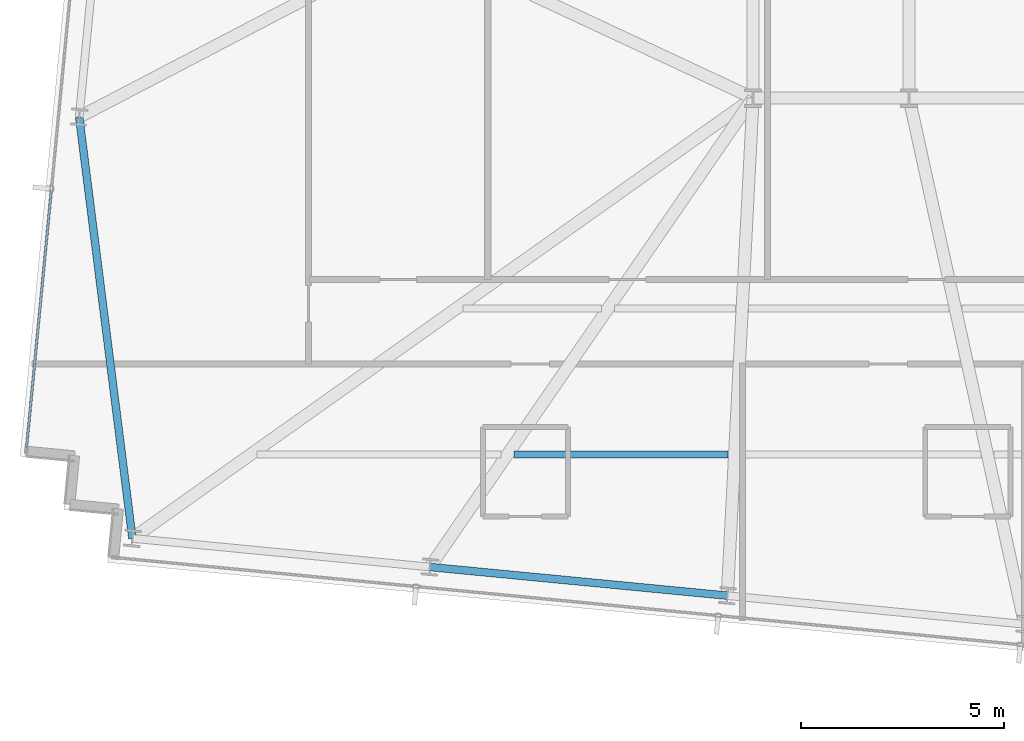
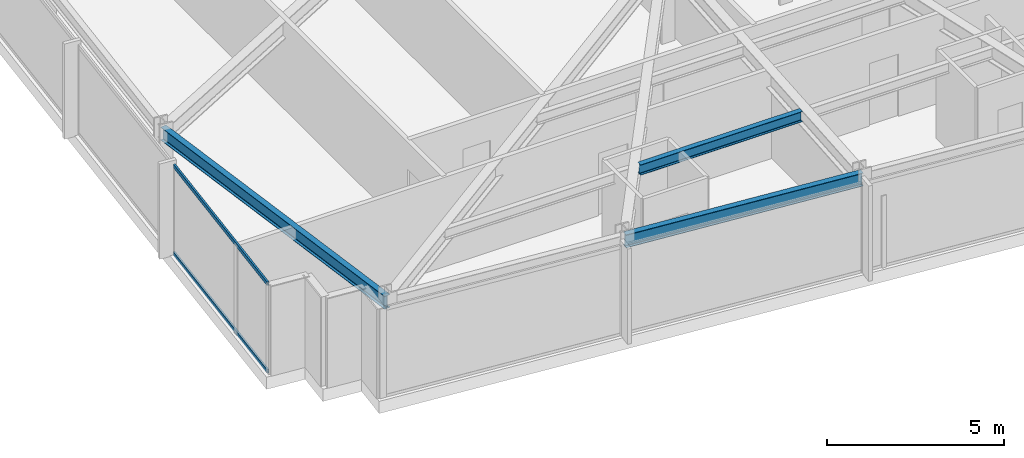
# One storey, part 3 of 37: 3 beams, 2 members, 1 element without a shape of its own.
"""IFC4 building model written with IfcOpenShell, lengths in metres."""

from ifc_helpers import new_model, si_unit, direction, frame, origin, origin_2d, place, context, subcontext, project, spatial, hollow_rectangle, i_section, extrude, material, material_profile, profile_set, type_object, element, aggregate, save


model = new_model("IFC4")

# Units and contexts
model_context = context("Model", 3, precision=1e-05, world=origin(), true_north=direction((0.0, 1.0)))
body_context = subcontext(model_context, "Body", "Model", "MODEL_VIEW")
ifc_project = project(units=[si_unit("LENGTHUNIT", "METRE"), si_unit("AREAUNIT", "SQUARE_METRE"), si_unit("VOLUMEUNIT", "CUBIC_METRE"), si_unit("PLANEANGLEUNIT", "RADIAN"), si_unit("MASSUNIT", "GRAM", prefix="KILO")], contexts=[model_context])

# Site, building, storey
site_placement = place(None, origin())
site = spatial("IfcSite", under=ifc_project, at=site_placement, CompositionType="ELEMENT")
building_placement = place(site_placement, origin())
building = spatial("IfcBuilding", under=site, at=building_placement, Name="Yelkora Congress Tower", CompositionType="ELEMENT")
storey_placement = place(building_placement, frame((0.0, 0.0, 149.0)))
storey = spatial("IfcBuildingStorey", under=building, at=storey_placement, Name="L40", CompositionType="ELEMENT", Elevation=149.0)

# Beams
ifc_material_1 = material(Name="Steel S355J2", Category="steel")
ifc_material_profile_1 = material_profile(ifc_material_1, i_section(OverallWidth=0.169921875, OverallDepth=0.360107421875, WebThickness=0.008056640625, FlangeThickness=0.0126953125, FilletRadius=0.01806640625, at=origin_2d()), Name="IPE 360")
ifc_profile_set_1 = profile_set([ifc_material_profile_1], Name="Steel S355J2")
beam_type_1 = type_object("IfcBeamType", Name="BM-JOIST-IPE360", PredefinedType="JOIST", material=ifc_profile_set_1)
beam_1_placement = place(storey_placement, frame((13.310546875, 16.421142578125, 2.89990234375), z_axis=(1.0, 0.0, 0.0), x_axis=(0.0, 1.0, 0.0)))
element("IfcBeam", 1, at=beam_1_placement, inside=storey, type_object=beam_type_1, Name="L40 Composite Floor Joist 6", PredefinedType="JOIST", context=body_context, shape_type="SweptSolid", body=[
    extrude(i_section(OverallWidth=0.169921875, OverallDepth=0.360107421875, WebThickness=0.008056640625, FlangeThickness=0.0126953125, FilletRadius=0.01806640625, at=origin_2d()), origin(), (0.0, 0.0, 1.0), 5.275146484375),
])
ifc_material_profile_2 = material_profile(ifc_material_1, i_section(OverallWidth=0.18994140625, OverallDepth=0.449951171875, WebThickness=0.009521484375, FlangeThickness=0.0146484375, FilletRadius=0.02099609375, at=origin_2d()), Name="IPE 450")
ifc_profile_set_2 = profile_set([ifc_material_profile_2], Name="Steel S355J2")
beam_type_2 = type_object("IfcBeamType", Name="BM-SPAN-IPE450", PredefinedType="SPANDREL", material=ifc_profile_set_2)
beam_2_placement = place(storey_placement, frame((2.607421875, 24.730712890625, 2.85498046875), z_axis=(0.125457133578, -0.992099041243, 0.0), x_axis=(0.992099041243, 0.125457133578, 0.0)))
element("IfcBeam", 2, at=beam_2_placement, inside=storey, type_object=beam_type_2, Name="L40 Perimeter Beam 1", PredefinedType="SPANDREL", context=body_context, shape_type="SweptSolid", body=[
    extrude(i_section(OverallWidth=0.18994140625, OverallDepth=0.449951171875, WebThickness=0.009521484375, FlangeThickness=0.0146484375, FilletRadius=0.02099609375, at=origin_2d()), origin(), (0.0, 0.0, 1.0), 10.455810546875),
])
beam_3_placement = place(storey_placement, frame((11.242431640625, 13.652099609375, 2.85498046875), z_axis=(0.995397409467, -0.095833173935, 0.0), x_axis=(0.095833173935, 0.995397409467, 0.0)))
element("IfcBeam", 3, at=beam_3_placement, inside=storey, type_object=beam_type_2, Name="L40 Perimeter Beam 3", PredefinedType="SPANDREL", context=body_context, shape_type="SweptSolid", body=[
    extrude(i_section(OverallWidth=0.18994140625, OverallDepth=0.449951171875, WebThickness=0.009521484375, FlangeThickness=0.0146484375, FilletRadius=0.02099609375, at=origin_2d()), origin(), (0.0, 0.0, 1.0), 7.357421875),
])

# Curtain wall, members
ifc_material_2 = material(Name="Anodised aluminium and insulated glass", Category="aluminium")
curtain_wall_type = type_object("IfcCurtainWallType", Name="CW-SYS-B3", PredefinedType="NOTDEFINED", material=ifc_material_2)
curtain_wall_placement = place(storey_placement, origin())
curtain_wall = element("IfcCurtainWall", 4, at=curtain_wall_placement, inside=storey, type_object=curtain_wall_type, Name="L40 Unitised Curtain Wall 5", PredefinedType="NOTDEFINED")
ifc_material_3 = material(Name="Anodised aluminium 6063-T6", Category="aluminium")
ifc_material_profile_3 = material_profile(ifc_material_3, hollow_rectangle(XDim=0.06005859375, YDim=0.1298828125, WallThickness=0.00390625, at=origin_2d()), Name="ALU 60x130x4")
ifc_profile_set_3 = profile_set([ifc_material_profile_3], Name="Anodised aluminium 6063-T6")
member_type = type_object("IfcMemberType", Name="MEM-TR-B3", PredefinedType="USERDEFINED", material=ifc_profile_set_3)
member_1_placement = place(storey_placement, frame((1.31005859375, 16.57763671875, 0.030029296875), z_axis=(0.095834923543, 0.99539724102, 0.0), x_axis=(-0.99539724102, 0.095834923543, 0.0)))
member_1 = element("IfcMember", 5, at=member_1_placement, type_object=member_type, Name="CW-B3 transom 1.1", ObjectType="TRANSOM", PredefinedType="USERDEFINED", context=body_context, shape_type="SweptSolid", body=[
    extrude(hollow_rectangle(XDim=0.06005859375, YDim=0.1298828125, WallThickness=0.00390625, at=origin_2d()), origin(), (0.0, 0.0, 1.0), 6.37890625),
])
member_2_placement = place(storey_placement, frame((1.31005859375, 16.57763671875, 3.050048828125), z_axis=(0.095834923543, 0.99539724102, 0.0), x_axis=(-0.99539724102, 0.095834923543, 0.0)))
member_2 = element("IfcMember", 6, at=member_2_placement, type_object=member_type, Name="CW-B3 transom 1.2", ObjectType="TRANSOM", PredefinedType="USERDEFINED", context=body_context, shape_type="SweptSolid", body=[
    extrude(hollow_rectangle(XDim=0.06005859375, YDim=0.1298828125, WallThickness=0.00390625, at=origin_2d()), origin(), (0.0, 0.0, 1.0), 6.37890625),
])
aggregate(curtain_wall, [member_1, member_2])

save(model, "model.ifc")
